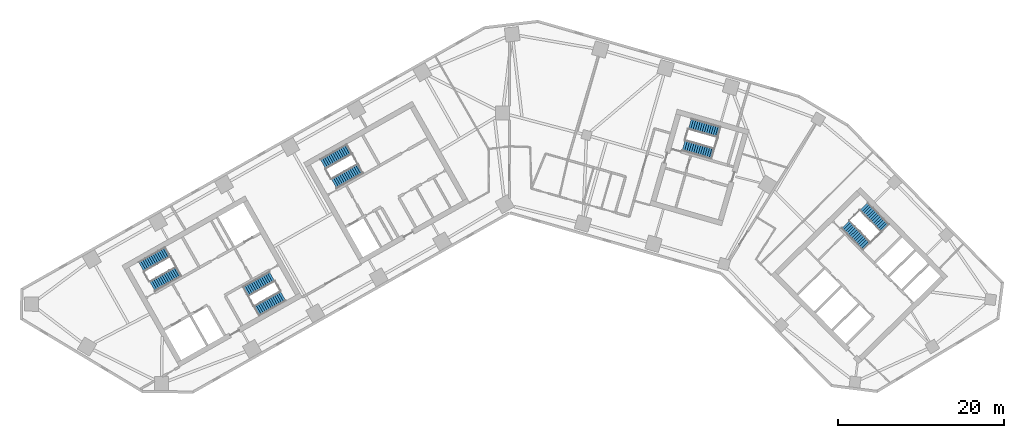
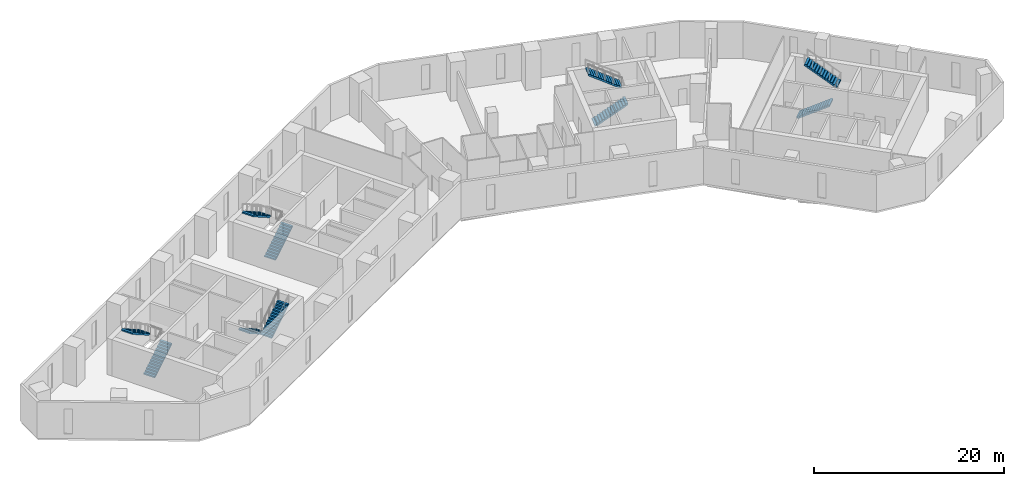
# One storey, part 8 of 10: 10 stair flights, 5 elements without a shape of their own.
"""IFC4 building model written with IfcOpenShell, lengths in metres."""

from ifc_helpers import new_model, si_unit, direction, frame, origin, place, context, subcontext, project, spatial, polyline, outline, extrude, material, type_object, element, aggregate, save


model = new_model("IFC4")

# Units and contexts
model_context = context("Model", 3, precision=1e-05, world=origin(), true_north=direction((0.0, 1.0)))
body_context = subcontext(model_context, "Body", "Model", "MODEL_VIEW")
ifc_project = project(units=[si_unit("LENGTHUNIT", "METRE"), si_unit("AREAUNIT", "SQUARE_METRE"), si_unit("VOLUMEUNIT", "CUBIC_METRE"), si_unit("PLANEANGLEUNIT", "RADIAN"), si_unit("MASSUNIT", "GRAM", prefix="KILO")], contexts=[model_context])

# Site, building, storey
site_placement = place(None, origin())
site = spatial("IfcSite", under=ifc_project, at=site_placement, CompositionType="ELEMENT")
building_placement = place(site_placement, origin())
building = spatial("IfcBuilding", under=site, at=building_placement, Name="Binnacle Exchange Tower", CompositionType="ELEMENT")
storey_placement = place(building_placement, frame((0.0, 0.0, 81.5)))
storey = spatial("IfcBuildingStorey", under=building, at=storey_placement, Name="L16", CompositionType="ELEMENT", Elevation=81.5)

# Stair, stair flights
ifc_material = material(Name="Concrete C35/45", Category="concrete")
stair_type = type_object("IfcStairType", Name="STAIR 28 RISERS 179", PredefinedType="HALF_TURN_STAIR", material=ifc_material)
stair_1_placement = place(storey_placement, origin())
stair_1 = element("IfcStair", 1, at=stair_1_placement, inside=storey, type_object=stair_type, Name="L16 Escape stair A1", PredefinedType="HALF_TURN_STAIR")
stair_flight_type = type_object("IfcStairFlightType", Name="STAIR FLIGHT 179X280", PredefinedType="STRAIGHT", material=ifc_material)
stair_flight_1_placement = place(storey_placement, frame((-42.9541015625, 39.17333984375, 0.0), z_axis=(0.0, 0.0, 1.0), x_axis=(0.870355584213, 0.492423757581, 0.0)))
stair_flight_1 = element("IfcStairFlight", 2, at=stair_flight_1_placement, type_object=stair_flight_type, Name="STA1 flight 1", NumberOfRisers=14, NumberOfTreads=13, PredefinedType="STRAIGHT", RiserHeight=0.178571429, TreadLength=0.28, context=body_context, shape_type="SweptSolid", body=[
    extrude(outline(polyline([(0.0, 0.0), (0.0, 0.178466796875), (0.280029296875, 0.178466796875), (0.280029296875, 0.357177734375), (0.56005859375, 0.357177734375), (0.56005859375, 0.53564453125), (0.840087890625, 0.53564453125), (0.840087890625, 0.71435546875), (1.1201171875, 0.71435546875), (1.1201171875, 0.892822265625), (1.39990234375, 0.892822265625), (1.39990234375, 1.071533203125), (1.679931640625, 1.071533203125), (1.679931640625, 1.25), (1.9599609375, 1.25), (1.9599609375, 1.428466796875), (2.239990234375, 1.428466796875), (2.239990234375, 1.607177734375), (2.52001953125, 1.607177734375), (2.52001953125, 1.78564453125), (2.800048828125, 1.78564453125), (2.800048828125, 1.96435546875), (3.080078125, 1.96435546875), (3.080078125, 2.142822265625), (3.360107421875, 2.142822265625), (3.360107421875, 2.321533203125), (3.639892578125, 2.321533203125), (3.639892578125, 2.5), (3.639892578125, 2.1435546875), (0.27880859375, 0.0), (0.0, 0.0)])), frame((0.0, 0.675048828125, 0.0), z_axis=(0.0, -1.0, 0.0), x_axis=(1.0, 0.0, 0.0)), (0.0, 0.0, 1.0), 1.35009765625),
])
stair_flight_2_placement = place(storey_placement, frame((-41.115478515625, 43.315673828125, 2.5), z_axis=(0.0, 0.0, 1.0), x_axis=(-0.870355584213, -0.492423757581, 0.0)))
stair_flight_2 = element("IfcStairFlight", 3, at=stair_flight_2_placement, type_object=stair_flight_type, Name="STA1 flight 2", NumberOfRisers=14, NumberOfTreads=13, PredefinedType="STRAIGHT", RiserHeight=0.178571429, TreadLength=0.28, context=body_context, shape_type="SweptSolid", body=[
    extrude(outline(polyline([(0.0, 0.0), (0.0, 0.178466796875), (0.280029296875, 0.178466796875), (0.280029296875, 0.357177734375), (0.56005859375, 0.357177734375), (0.56005859375, 0.53564453125), (0.840087890625, 0.53564453125), (0.840087890625, 0.71435546875), (1.1201171875, 0.71435546875), (1.1201171875, 0.892822265625), (1.39990234375, 0.892822265625), (1.39990234375, 1.071533203125), (1.679931640625, 1.071533203125), (1.679931640625, 1.25), (1.9599609375, 1.25), (1.9599609375, 1.428466796875), (2.239990234375, 1.428466796875), (2.239990234375, 1.607177734375), (2.52001953125, 1.607177734375), (2.52001953125, 1.78564453125), (2.800048828125, 1.78564453125), (2.800048828125, 1.96435546875), (3.080078125, 1.96435546875), (3.080078125, 2.142822265625), (3.360107421875, 2.142822265625), (3.360107421875, 2.321533203125), (3.639892578125, 2.321533203125), (3.639892578125, 2.5), (3.639892578125, 2.1435546875), (0.27880859375, 0.0), (0.0, 0.0)])), frame((0.0, 0.675048828125, 0.0), z_axis=(0.0, -1.0, 0.0), x_axis=(1.0, 0.0, 0.0)), (0.0, 0.0, 1.0), 1.35009765625),
])
aggregate(stair_1, [stair_flight_1, stair_flight_2])

stair_2_placement = place(storey_placement, origin())
stair_2 = element("IfcStair", 4, at=stair_2_placement, inside=storey, type_object=stair_type, Name="L16 Escape stair A2", PredefinedType="HALF_TURN_STAIR")
stair_flight_3_placement = place(storey_placement, frame((-28.5732421875, 40.3583984375, 0.0), z_axis=(0.0, 0.0, 1.0), x_axis=(-0.870355584213, -0.492423757581, 0.0)))
stair_flight_3 = element("IfcStairFlight", 5, at=stair_flight_3_placement, type_object=stair_flight_type, Name="STA2 flight 1", NumberOfRisers=14, NumberOfTreads=13, PredefinedType="STRAIGHT", RiserHeight=0.178571429, TreadLength=0.28, context=body_context, shape_type="SweptSolid", body=[
    extrude(outline(polyline([(0.0, 0.0), (0.0, 0.178466796875), (0.280029296875, 0.178466796875), (0.280029296875, 0.357177734375), (0.56005859375, 0.357177734375), (0.56005859375, 0.53564453125), (0.840087890625, 0.53564453125), (0.840087890625, 0.71435546875), (1.1201171875, 0.71435546875), (1.1201171875, 0.892822265625), (1.39990234375, 0.892822265625), (1.39990234375, 1.071533203125), (1.679931640625, 1.071533203125), (1.679931640625, 1.25), (1.9599609375, 1.25), (1.9599609375, 1.428466796875), (2.239990234375, 1.428466796875), (2.239990234375, 1.607177734375), (2.52001953125, 1.607177734375), (2.52001953125, 1.78564453125), (2.800048828125, 1.78564453125), (2.800048828125, 1.96435546875), (3.080078125, 1.96435546875), (3.080078125, 2.142822265625), (3.360107421875, 2.142822265625), (3.360107421875, 2.321533203125), (3.639892578125, 2.321533203125), (3.639892578125, 2.5), (3.639892578125, 2.1435546875), (0.27880859375, 0.0), (0.0, 0.0)])), frame((0.0, 0.675048828125, 0.0), z_axis=(0.0, -1.0, 0.0), x_axis=(1.0, 0.0, 0.0)), (0.0, 0.0, 1.0), 1.35009765625),
])
stair_flight_4_placement = place(storey_placement, frame((-30.411865234375, 36.216064453125, 2.5), z_axis=(0.0, 0.0, 1.0), x_axis=(0.870355584213, 0.492423757581, 0.0)))
stair_flight_4 = element("IfcStairFlight", 6, at=stair_flight_4_placement, type_object=stair_flight_type, Name="STA2 flight 2", NumberOfRisers=14, NumberOfTreads=13, PredefinedType="STRAIGHT", RiserHeight=0.178571429, TreadLength=0.28, context=body_context, shape_type="SweptSolid", body=[
    extrude(outline(polyline([(0.0, 0.0), (0.0, 0.178466796875), (0.280029296875, 0.178466796875), (0.280029296875, 0.357177734375), (0.56005859375, 0.357177734375), (0.56005859375, 0.53564453125), (0.840087890625, 0.53564453125), (0.840087890625, 0.71435546875), (1.1201171875, 0.71435546875), (1.1201171875, 0.892822265625), (1.39990234375, 0.892822265625), (1.39990234375, 1.071533203125), (1.679931640625, 1.071533203125), (1.679931640625, 1.25), (1.9599609375, 1.25), (1.9599609375, 1.428466796875), (2.239990234375, 1.428466796875), (2.239990234375, 1.607177734375), (2.52001953125, 1.607177734375), (2.52001953125, 1.78564453125), (2.800048828125, 1.78564453125), (2.800048828125, 1.96435546875), (3.080078125, 1.96435546875), (3.080078125, 2.142822265625), (3.360107421875, 2.142822265625), (3.360107421875, 2.321533203125), (3.639892578125, 2.321533203125), (3.639892578125, 2.5), (3.639892578125, 2.1435546875), (0.27880859375, 0.0), (0.0, 0.0)])), frame((0.0, 0.675048828125, 0.0), z_axis=(0.0, -1.0, 0.0), x_axis=(1.0, 0.0, 0.0)), (0.0, 0.0, 1.0), 1.35009765625),
])
aggregate(stair_2, [stair_flight_3, stair_flight_4])

stair_3_placement = place(storey_placement, origin())
stair_3 = element("IfcStair", 7, at=stair_3_placement, inside=storey, type_object=stair_type, Name="L16 Escape stair B1", PredefinedType="HALF_TURN_STAIR")
stair_flight_5_placement = place(storey_placement, frame((40.376708984375, 46.608642578125, 0.0), z_axis=(0.0, 0.0, 1.0), x_axis=(0.70090935144, -0.713250363522, 0.0)))
stair_flight_5 = element("IfcStairFlight", 8, at=stair_flight_5_placement, type_object=stair_flight_type, Name="STB1 flight 1", NumberOfRisers=14, NumberOfTreads=13, PredefinedType="STRAIGHT", RiserHeight=0.178571429, TreadLength=0.28, context=body_context, shape_type="SweptSolid", body=[
    extrude(outline(polyline([(0.0, 0.0), (0.0, 0.178466796875), (0.280029296875, 0.178466796875), (0.280029296875, 0.357177734375), (0.56005859375, 0.357177734375), (0.56005859375, 0.53564453125), (0.840087890625, 0.53564453125), (0.840087890625, 0.71435546875), (1.1201171875, 0.71435546875), (1.1201171875, 0.892822265625), (1.39990234375, 0.892822265625), (1.39990234375, 1.071533203125), (1.679931640625, 1.071533203125), (1.679931640625, 1.25), (1.9599609375, 1.25), (1.9599609375, 1.428466796875), (2.239990234375, 1.428466796875), (2.239990234375, 1.607177734375), (2.52001953125, 1.607177734375), (2.52001953125, 1.78564453125), (2.800048828125, 1.78564453125), (2.800048828125, 1.96435546875), (3.080078125, 1.96435546875), (3.080078125, 2.142822265625), (3.360107421875, 2.142822265625), (3.360107421875, 2.321533203125), (3.639892578125, 2.321533203125), (3.639892578125, 2.5), (3.639892578125, 2.1435546875), (0.27880859375, 0.0), (0.0, 0.0)])), frame((0.0, 0.675048828125, 0.0), z_axis=(0.0, -1.0, 0.0), x_axis=(1.0, 0.0, 0.0)), (0.0, 0.0, 1.0), 1.35009765625),
])
stair_flight_6_placement = place(storey_placement, frame((45.13916015625, 46.185302734375, 2.5), z_axis=(0.0, 0.0, 1.0), x_axis=(-0.70090935144, 0.713250363522, 0.0)))
stair_flight_6 = element("IfcStairFlight", 9, at=stair_flight_6_placement, type_object=stair_flight_type, Name="STB1 flight 2", NumberOfRisers=14, NumberOfTreads=13, PredefinedType="STRAIGHT", RiserHeight=0.178571429, TreadLength=0.28, context=body_context, shape_type="SweptSolid", body=[
    extrude(outline(polyline([(0.0, 0.0), (0.0, 0.178466796875), (0.280029296875, 0.178466796875), (0.280029296875, 0.357177734375), (0.56005859375, 0.357177734375), (0.56005859375, 0.53564453125), (0.840087890625, 0.53564453125), (0.840087890625, 0.71435546875), (1.1201171875, 0.71435546875), (1.1201171875, 0.892822265625), (1.39990234375, 0.892822265625), (1.39990234375, 1.071533203125), (1.679931640625, 1.071533203125), (1.679931640625, 1.25), (1.9599609375, 1.25), (1.9599609375, 1.428466796875), (2.239990234375, 1.428466796875), (2.239990234375, 1.607177734375), (2.52001953125, 1.607177734375), (2.52001953125, 1.78564453125), (2.800048828125, 1.78564453125), (2.800048828125, 1.96435546875), (3.080078125, 1.96435546875), (3.080078125, 2.142822265625), (3.360107421875, 2.142822265625), (3.360107421875, 2.321533203125), (3.639892578125, 2.321533203125), (3.639892578125, 2.5), (3.639892578125, 2.1435546875), (0.27880859375, 0.0), (0.0, 0.0)])), frame((0.0, 0.675048828125, 0.0), z_axis=(0.0, -1.0, 0.0), x_axis=(1.0, 0.0, 0.0)), (0.0, 0.0, 1.0), 1.35009765625),
])
aggregate(stair_3, [stair_flight_5, stair_flight_6])

stair_4_placement = place(storey_placement, origin())
stair_4 = element("IfcStair", 10, at=stair_4_placement, inside=storey, type_object=stair_type, Name="L16 Escape stair C1", PredefinedType="HALF_TURN_STAIR")
stair_flight_7_placement = place(storey_placement, frame((-21.115966796875, 51.528564453125, 0.0), z_axis=(0.0, 0.0, 1.0), x_axis=(0.870355584213, 0.492423757581, 0.0)))
stair_flight_7 = element("IfcStairFlight", 11, at=stair_flight_7_placement, type_object=stair_flight_type, Name="STC1 flight 1", NumberOfRisers=14, NumberOfTreads=13, PredefinedType="STRAIGHT", RiserHeight=0.178571429, TreadLength=0.28, context=body_context, shape_type="SweptSolid", body=[
    extrude(outline(polyline([(0.0, 0.0), (0.0, 0.178466796875), (0.280029296875, 0.178466796875), (0.280029296875, 0.357177734375), (0.56005859375, 0.357177734375), (0.56005859375, 0.53564453125), (0.840087890625, 0.53564453125), (0.840087890625, 0.71435546875), (1.1201171875, 0.71435546875), (1.1201171875, 0.892822265625), (1.39990234375, 0.892822265625), (1.39990234375, 1.071533203125), (1.679931640625, 1.071533203125), (1.679931640625, 1.25), (1.9599609375, 1.25), (1.9599609375, 1.428466796875), (2.239990234375, 1.428466796875), (2.239990234375, 1.607177734375), (2.52001953125, 1.607177734375), (2.52001953125, 1.78564453125), (2.800048828125, 1.78564453125), (2.800048828125, 1.96435546875), (3.080078125, 1.96435546875), (3.080078125, 2.142822265625), (3.360107421875, 2.142822265625), (3.360107421875, 2.321533203125), (3.639892578125, 2.321533203125), (3.639892578125, 2.5), (3.639892578125, 2.1435546875), (0.27880859375, 0.0), (0.0, 0.0)])), frame((0.0, 0.675048828125, 0.0), z_axis=(0.0, -1.0, 0.0), x_axis=(1.0, 0.0, 0.0)), (0.0, 0.0, 1.0), 1.35009765625),
])
stair_flight_8_placement = place(storey_placement, frame((-19.27734375, 55.671142578125, 2.5), z_axis=(0.0, 0.0, 1.0), x_axis=(-0.870355584213, -0.492423757581, 0.0)))
stair_flight_8 = element("IfcStairFlight", 12, at=stair_flight_8_placement, type_object=stair_flight_type, Name="STC1 flight 2", NumberOfRisers=14, NumberOfTreads=13, PredefinedType="STRAIGHT", RiserHeight=0.178571429, TreadLength=0.28, context=body_context, shape_type="SweptSolid", body=[
    extrude(outline(polyline([(0.0, 0.0), (0.0, 0.178466796875), (0.280029296875, 0.178466796875), (0.280029296875, 0.357177734375), (0.56005859375, 0.357177734375), (0.56005859375, 0.53564453125), (0.840087890625, 0.53564453125), (0.840087890625, 0.71435546875), (1.1201171875, 0.71435546875), (1.1201171875, 0.892822265625), (1.39990234375, 0.892822265625), (1.39990234375, 1.071533203125), (1.679931640625, 1.071533203125), (1.679931640625, 1.25), (1.9599609375, 1.25), (1.9599609375, 1.428466796875), (2.239990234375, 1.428466796875), (2.239990234375, 1.607177734375), (2.52001953125, 1.607177734375), (2.52001953125, 1.78564453125), (2.800048828125, 1.78564453125), (2.800048828125, 1.96435546875), (3.080078125, 1.96435546875), (3.080078125, 2.142822265625), (3.360107421875, 2.142822265625), (3.360107421875, 2.321533203125), (3.639892578125, 2.321533203125), (3.639892578125, 2.5), (3.639892578125, 2.1435546875), (0.27880859375, 0.0), (0.0, 0.0)])), frame((0.0, 0.675048828125, 0.0), z_axis=(0.0, -1.0, 0.0), x_axis=(1.0, 0.0, 0.0)), (0.0, 0.0, 1.0), 1.35009765625),
])
aggregate(stair_4, [stair_flight_7, stair_flight_8])

stair_5_placement = place(storey_placement, origin())
stair_5 = element("IfcStair", 13, at=stair_5_placement, inside=storey, type_object=stair_type, Name="L16 Escape stair D1", PredefinedType="HALF_TURN_STAIR")
stair_flight_9_placement = place(storey_placement, frame((20.914306640625, 56.109619140625, 0.0), z_axis=(0.0, 0.0, 1.0), x_axis=(0.961261811397, -0.275636953165, 0.0)))
stair_flight_9 = element("IfcStairFlight", 14, at=stair_flight_9_placement, type_object=stair_flight_type, Name="STD1 flight 1", NumberOfRisers=14, NumberOfTreads=13, PredefinedType="STRAIGHT", RiserHeight=0.178571429, TreadLength=0.28, context=body_context, shape_type="SweptSolid", body=[
    extrude(outline(polyline([(0.0, 0.0), (0.0, 0.178466796875), (0.280029296875, 0.178466796875), (0.280029296875, 0.357177734375), (0.56005859375, 0.357177734375), (0.56005859375, 0.53564453125), (0.840087890625, 0.53564453125), (0.840087890625, 0.71435546875), (1.1201171875, 0.71435546875), (1.1201171875, 0.892822265625), (1.39990234375, 0.892822265625), (1.39990234375, 1.071533203125), (1.679931640625, 1.071533203125), (1.679931640625, 1.25), (1.9599609375, 1.25), (1.9599609375, 1.428466796875), (2.239990234375, 1.428466796875), (2.239990234375, 1.607177734375), (2.52001953125, 1.607177734375), (2.52001953125, 1.78564453125), (2.800048828125, 1.78564453125), (2.800048828125, 1.96435546875), (3.080078125, 1.96435546875), (3.080078125, 2.142822265625), (3.360107421875, 2.142822265625), (3.360107421875, 2.321533203125), (3.639892578125, 2.321533203125), (3.639892578125, 2.5), (3.639892578125, 2.1435546875), (0.27880859375, 0.0), (0.0, 0.0)])), frame((0.0, 0.675048828125, 0.0), z_axis=(0.0, -1.0, 0.0), x_axis=(1.0, 0.0, 0.0)), (0.0, 0.0, 1.0), 1.35009765625),
])
stair_flight_10_placement = place(storey_placement, frame((25.157470703125, 57.70166015625, 2.5), z_axis=(0.0, 0.0, 1.0), x_axis=(-0.961261811397, 0.275636953165, 0.0)))
stair_flight_10 = element("IfcStairFlight", 15, at=stair_flight_10_placement, type_object=stair_flight_type, Name="STD1 flight 2", NumberOfRisers=14, NumberOfTreads=13, PredefinedType="STRAIGHT", RiserHeight=0.178571429, TreadLength=0.28, context=body_context, shape_type="SweptSolid", body=[
    extrude(outline(polyline([(0.0, 0.0), (0.0, 0.178466796875), (0.280029296875, 0.178466796875), (0.280029296875, 0.357177734375), (0.56005859375, 0.357177734375), (0.56005859375, 0.53564453125), (0.840087890625, 0.53564453125), (0.840087890625, 0.71435546875), (1.1201171875, 0.71435546875), (1.1201171875, 0.892822265625), (1.39990234375, 0.892822265625), (1.39990234375, 1.071533203125), (1.679931640625, 1.071533203125), (1.679931640625, 1.25), (1.9599609375, 1.25), (1.9599609375, 1.428466796875), (2.239990234375, 1.428466796875), (2.239990234375, 1.607177734375), (2.52001953125, 1.607177734375), (2.52001953125, 1.78564453125), (2.800048828125, 1.78564453125), (2.800048828125, 1.96435546875), (3.080078125, 1.96435546875), (3.080078125, 2.142822265625), (3.360107421875, 2.142822265625), (3.360107421875, 2.321533203125), (3.639892578125, 2.321533203125), (3.639892578125, 2.5), (3.639892578125, 2.1435546875), (0.27880859375, 0.0), (0.0, 0.0)])), frame((0.0, 0.675048828125, 0.0), z_axis=(0.0, -1.0, 0.0), x_axis=(1.0, 0.0, 0.0)), (0.0, 0.0, 1.0), 1.35009765625),
])
aggregate(stair_5, [stair_flight_9, stair_flight_10])

save(model, "model.ifc")
